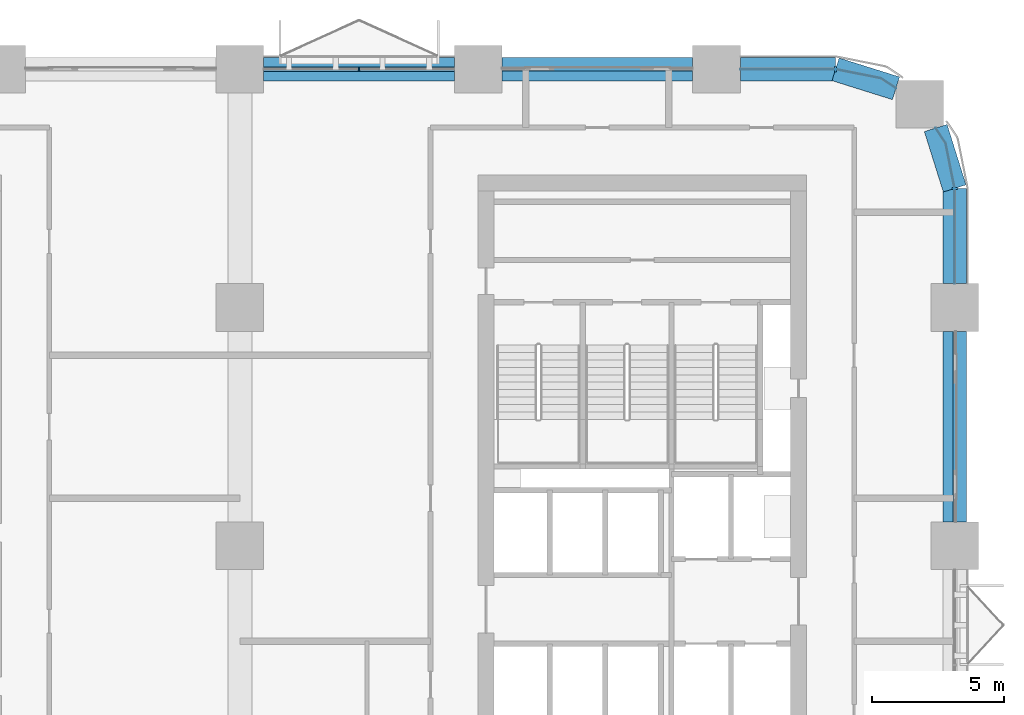
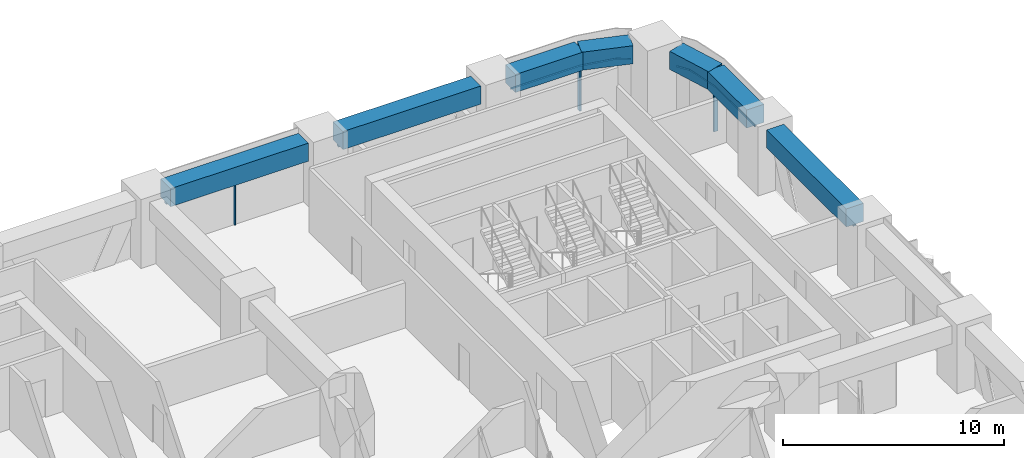
# One storey, part 8 of 18: 8 members, 7 beams, 5 elements without a shape of their own.
"""IFC4 building model written with IfcOpenShell, lengths in metres."""

from ifc_helpers import new_model, si_unit, direction, frame, origin, origin_2d, place, context, subcontext, project, spatial, polyline, rectangle, outline, extrude, material, material_profile, profile_set, type_object, element, aggregate, save


model = new_model("IFC4")

# Units and contexts
model_context = context("Model", 3, precision=1e-05, world=origin(), true_north=direction((0.0, 1.0)))
body_context = subcontext(model_context, "Body", "Model", "MODEL_VIEW")
ifc_project = project(units=[si_unit("LENGTHUNIT", "METRE"), si_unit("AREAUNIT", "SQUARE_METRE"), si_unit("VOLUMEUNIT", "CUBIC_METRE"), si_unit("PLANEANGLEUNIT", "RADIAN"), si_unit("MASSUNIT", "GRAM", prefix="KILO")], contexts=[model_context])

# Site, building, storey
site_placement = place(None, origin())
site = spatial("IfcSite", under=ifc_project, at=site_placement, CompositionType="ELEMENT")
building_placement = place(site_placement, origin())
building = spatial("IfcBuilding", under=site, at=building_placement, Name="Tessera Arch", CompositionType="ELEMENT")
storey_placement = place(building_placement, frame((0.0, 0.0, 89.199951171875)))
storey = spatial("IfcBuildingStorey", under=building, at=storey_placement, Name="L20", CompositionType="ELEMENT", Elevation=89.199951171875)

# Curtain wall, members
ifc_material_1 = material(Name="CW1 curtain wall")
curtain_wall_type_1 = type_object("IfcCurtainWallType", Name="CW1 curtain wall", PredefinedType="NOTDEFINED", material=ifc_material_1)
curtain_wall_1_placement = place(storey_placement, origin())
curtain_wall_1 = element("IfcCurtainWall", 1, at=curtain_wall_1_placement, inside=storey, type_object=curtain_wall_type_1, Name="CW1 curtain wall N54.0/1 L20", PredefinedType="NOTDEFINED")
ifc_material_2 = material(Name="Anodised aluminium pale metal", Category="aluminium")
ifc_material_profile_1 = material_profile(ifc_material_2, rectangle(XDim=0.159912109375, YDim=0.06005859375, at=origin_2d()), Name="AL 60x160")
ifc_profile_set_1 = profile_set([ifc_material_profile_1], Name="Anodised aluminium pale metal")
member_type_1 = type_object("IfcMemberType", Name="CW1 mullion", PredefinedType="MULLION", material=ifc_profile_set_1)
member_1_placement = place(storey_placement, frame((31.5, 54.0, 0.0), z_axis=(0.0, 0.0, 1.0), x_axis=(0.0, -1.0, 0.0)))
member_1 = element("IfcMember", 2, at=member_1_placement, type_object=member_type_1, Name="CW1 mullion N54.0/1 1", PredefinedType="MULLION", context=body_context, shape_type="SweptSolid", body=[
    extrude(rectangle(XDim=0.159912109375, YDim=0.06005859375, at=origin_2d()), origin(), (0.0, 0.0, 1.0), 2.400146484375),
])
ifc_material_3 = material(Name="Anodised aluminium pale metal", Category="aluminium")
ifc_material_profile_2 = material_profile(ifc_material_3, rectangle(XDim=0.159912109375, YDim=0.10009765625, at=origin_2d()), Name="AL 160x100")
ifc_profile_set_2 = profile_set([ifc_material_profile_2], Name="Anodised aluminium pale metal")
member_type_2 = type_object("IfcMemberType", Name="CW1 transom", PredefinedType="USERDEFINED", material=ifc_profile_set_2)
member_2_placement = place(storey_placement, frame((35.10009765625, 54.0, 2.449951171875), z_axis=(-1.0, 0.0, 0.0), x_axis=(0.0, -1.0, 0.0)))
member_2 = element("IfcMember", 3, at=member_2_placement, type_object=member_type_2, Name="CW1 transom N54.0/1 1.1", ObjectType="TRANSOM", PredefinedType="USERDEFINED", context=body_context, shape_type="SweptSolid", body=[
    extrude(rectangle(XDim=0.159912109375, YDim=0.10009765625, at=origin_2d()), origin(), (0.0, 0.0, 1.0), 7.2001953125),
])
aggregate(curtain_wall_1, [member_1, member_2])

# Curtain wall, member
ifc_material_4 = material(Name="CW2 curtain wall")
curtain_wall_type_2 = type_object("IfcCurtainWallType", Name="CW2 curtain wall", PredefinedType="NOTDEFINED", material=ifc_material_4)
curtain_wall_2_placement = place(storey_placement, origin())
curtain_wall_2 = element("IfcCurtainWall", 4, at=curtain_wall_2_placement, inside=storey, type_object=curtain_wall_type_2, Name="CW2 curtain wall E54.0/5 L20", PredefinedType="NOTDEFINED")
ifc_material_5 = material(Name="Anodised aluminium pale metal", Category="aluminium")
ifc_material_profile_3 = material_profile(ifc_material_5, rectangle(XDim=0.199951171875, YDim=0.080078125, at=origin_2d()), Name="AL 80x200")
ifc_profile_set_3 = profile_set([ifc_material_profile_3], Name="Anodised aluminium pale metal")
member_type_3 = type_object("IfcMemberType", Name="CW2 mullion", PredefinedType="MULLION", material=ifc_profile_set_3)
member_3_placement = place(storey_placement, frame((54.0, 49.5, 0.0), z_axis=(0.0, 0.0, 1.0), x_axis=(-1.0, 0.0, 0.0)))
member_3 = element("IfcMember", 5, at=member_3_placement, type_object=member_type_3, Name="CW2 mullion E54.0/5 1", PredefinedType="MULLION", context=body_context, shape_type="SweptSolid", body=[
    extrude(rectangle(XDim=0.199951171875, YDim=0.080078125, at=origin_2d()), origin(), (0.0, 0.0, 1.0), 2.400146484375),
])

curtain_wall_3_placement = place(storey_placement, origin())
curtain_wall_3 = element("IfcCurtainWall", 6, at=curtain_wall_3_placement, inside=storey, type_object=curtain_wall_type_2, Name="CW2 curtain wall N54.0/5 L20", PredefinedType="NOTDEFINED")
member_4_placement = place(storey_placement, frame((49.5, 54.0, 0.0), z_axis=(0.0, 0.0, 1.0), x_axis=(0.0, -1.0, 0.0)))
member_4 = element("IfcMember", 7, at=member_4_placement, type_object=member_type_3, Name="CW2 mullion N54.0/5 1", PredefinedType="MULLION", context=body_context, shape_type="SweptSolid", body=[
    extrude(rectangle(XDim=0.199951171875, YDim=0.080078125, at=origin_2d()), origin(), (0.0, 0.0, 1.0), 2.400146484375),
])

# Member
ifc_material_6 = material(Name="Anodised aluminium pale metal", Category="aluminium")
ifc_material_profile_4 = material_profile(ifc_material_6, rectangle(XDim=0.199951171875, YDim=0.10009765625, at=origin_2d()), Name="AL 200x100")
ifc_profile_set_4 = profile_set([ifc_material_profile_4], Name="Anodised aluminium pale metal")
member_type_4 = type_object("IfcMemberType", Name="CW2 transom", PredefinedType="USERDEFINED", material=ifc_profile_set_4)
member_5_placement = place(storey_placement, frame((0.0, 0.0, 2.400146484375)))
member_5 = element("IfcMember", 8, at=member_5_placement, type_object=member_type_4, Name="CW2 transom E54.0/5 1", ObjectType="TRANSOM", PredefinedType="USERDEFINED", context=body_context, shape_type="SweptSolid", body=[
    extrude(outline(polyline([(53.989990234375, 49.4990234375), (53.989990234375, 45.89990234375), (54.010009765625, 45.89990234375), (54.010009765625, 49.5009765625), (53.6669921875, 51.22607421875), (53.29150390625, 51.78759765625), (53.27490234375, 51.7763671875), (53.648193359375, 51.21826171875), (53.989990234375, 49.4990234375)])), origin(), (0.0, 0.0, 1.0), 0.099853515625),
])

aggregate(curtain_wall_2, [member_3, member_5])

member_6_placement = place(storey_placement, frame((0.0, 0.0, 2.400146484375)))
member_6 = element("IfcMember", 9, at=member_6_placement, type_object=member_type_4, Name="CW2 transom N54.0/5 1", ObjectType="TRANSOM", PredefinedType="USERDEFINED", context=body_context, shape_type="SweptSolid", body=[
    extrude(outline(polyline([(51.21826171875, 53.648193359375), (51.7763671875, 53.27490234375), (51.78759765625, 53.29150390625), (51.22607421875, 53.6669921875), (49.5009765625, 54.010009765625), (45.89990234375, 54.010009765625), (45.89990234375, 53.989990234375), (49.4990234375, 53.989990234375), (51.21826171875, 53.648193359375)])), origin(), (0.0, 0.0, 1.0), 0.099853515625),
])

aggregate(curtain_wall_3, [member_4, member_6])

# Curtain wall, member
ifc_material_7 = material(Name="CW3 curtain wall")
curtain_wall_type_3 = type_object("IfcCurtainWallType", Name="CW3 curtain wall", PredefinedType="NOTDEFINED", material=ifc_material_7)
curtain_wall_4_placement = place(storey_placement, origin())
curtain_wall_4 = element("IfcCurtainWall", 10, at=curtain_wall_4_placement, inside=storey, type_object=curtain_wall_type_3, Name="CW3 curtain wall N54.0/0 L20", PredefinedType="NOTDEFINED")
ifc_material_8 = material(Name="Anodised aluminium pale metal", Category="aluminium")
ifc_material_profile_5 = material_profile(ifc_material_8, rectangle(XDim=0.139892578125, YDim=0.10009765625, at=origin_2d()), Name="AL 140x100")
ifc_profile_set_5 = profile_set([ifc_material_profile_5], Name="Anodised aluminium pale metal")
member_type_5 = type_object("IfcMemberType", Name="CW3 transom", PredefinedType="USERDEFINED", material=ifc_profile_set_5)
member_7_placement = place(storey_placement, frame((44.10009765625, 54.0, 2.449951171875), z_axis=(-1.0, 0.0, 0.0), x_axis=(0.0, -1.0, 0.0)))
member_7 = element("IfcMember", 11, at=member_7_placement, type_object=member_type_5, Name="CW3 transom N54.0/0 1.1", ObjectType="TRANSOM", PredefinedType="USERDEFINED", context=body_context, shape_type="SweptSolid", body=[
    extrude(rectangle(XDim=0.139892578125, YDim=0.10009765625, at=origin_2d()), origin(), (0.0, 0.0, 1.0), 7.2001953125),
])
aggregate(curtain_wall_4, [member_7])

curtain_wall_5_placement = place(storey_placement, origin())
curtain_wall_5 = element("IfcCurtainWall", 12, at=curtain_wall_5_placement, inside=storey, type_object=curtain_wall_type_3, Name="CW3 curtain wall E54.0/4 L20", PredefinedType="NOTDEFINED")
member_8_placement = place(storey_placement, frame((54.0, 36.89990234375, 2.449951171875), z_axis=(0.0, 1.0, 0.0), x_axis=(-1.0, 0.0, 0.0)))
member_8 = element("IfcMember", 13, at=member_8_placement, type_object=member_type_5, Name="CW3 transom E54.0/4 1.1", ObjectType="TRANSOM", PredefinedType="USERDEFINED", context=body_context, shape_type="SweptSolid", body=[
    extrude(rectangle(XDim=0.139892578125, YDim=0.10009765625, at=origin_2d()), origin(), (0.0, 0.0, 1.0), 7.2001953125),
])
aggregate(curtain_wall_5, [member_8])

# Beams
ifc_material_9 = material(Name="Concrete C80/95", Category="concrete")
ifc_material_profile_6 = material_profile(ifc_material_9, rectangle(XDim=0.89990234375, YDim=1.0, at=origin_2d()), Name="RC spandrel beam 900 x 1000 Concrete C80/95")
ifc_profile_set_6 = profile_set([ifc_material_profile_6], Name="Concrete C80/95")
beam_type = type_object("IfcBeamType", Name="RC spandrel beam 900 x 1000 Concrete C80/95", PredefinedType="BEAM", material=ifc_profile_set_6)
for number, where, z_axis, x_axis, name in (
    (14, (44.10009765625, 54.0, 3.0), (-1.0, 0.0, 0.0), (0.0, -1.0, 0.0), "Spandrel beam L20 N54.0/0"),
    (15, (35.10009765625, 54.0, 3.0), (-1.0, 0.0, 0.0), (0.0, -1.0, 0.0), "Spandrel beam L20 N54.0/1"),
    (16, (54.0, 36.89990234375, 3.0), (0.0, 1.0, 0.0), (-1.0, 0.0, 0.0), "Spandrel beam L20 E54.0/4"),
):
    element("IfcBeam", number, at=place(storey_placement, frame(where, z_axis=z_axis, x_axis=x_axis)), inside=storey, type_object=beam_type, Name=name, PredefinedType="BEAM", context=body_context, shape_type="SweptSolid", body=[
        extrude(rectangle(XDim=0.89990234375, YDim=1.0, at=origin_2d()), origin(), (0.0, 0.0, 1.0), 7.2001953125),
    ])
beam_1_placement = place(storey_placement, frame((54.0, 45.89990234375, 3.0), z_axis=(0.0, 1.0, 0.0), x_axis=(-1.0, 0.0, 0.0)))
element("IfcBeam", 17, at=beam_1_placement, inside=storey, type_object=beam_type, Name="Spandrel beam L20 E54.0/5.1", PredefinedType="BEAM", context=body_context, shape_type="SweptSolid", body=[
    extrude(rectangle(XDim=0.89990234375, YDim=1.0, at=origin_2d()), origin(), (0.0, 0.0, 1.0), 3.60009765625),
])
for number, where, z_axis, x_axis, name in (
    (18, (54.0, 49.5, 3.0), (-0.299675309057, 0.954041251279, 0.0), (-0.954041251279, -0.299675309057, 0.0), "Spandrel beam L20 E54.0/5.2"),
    (19, (51.781982421875, 53.283203125, 3.0), (-0.954041251279, 0.299675309057, 0.0), (-0.299675309057, -0.954041251279, 0.0), "Spandrel beam L20 N54.0/5.1"),
):
    element("IfcBeam", number, at=place(storey_placement, frame(where, z_axis=z_axis, x_axis=x_axis)), inside=storey, type_object=beam_type, Name=name, PredefinedType="BEAM", context=body_context, shape_type="SweptSolid", body=[
        extrude(rectangle(XDim=0.89990234375, YDim=1.0, at=origin_2d()), origin(), (0.0, 0.0, 1.0), 2.391845703125),
    ])
beam_2_placement = place(storey_placement, frame((49.5, 54.0, 3.0), z_axis=(-1.0, 0.0, 0.0), x_axis=(0.0, -1.0, 0.0)))
element("IfcBeam", 20, at=beam_2_placement, inside=storey, type_object=beam_type, Name="Spandrel beam L20 N54.0/5.2", PredefinedType="BEAM", context=body_context, shape_type="SweptSolid", body=[
    extrude(rectangle(XDim=0.89990234375, YDim=1.0, at=origin_2d()), origin(), (0.0, 0.0, 1.0), 3.60009765625),
])

save(model, "model.ifc")
